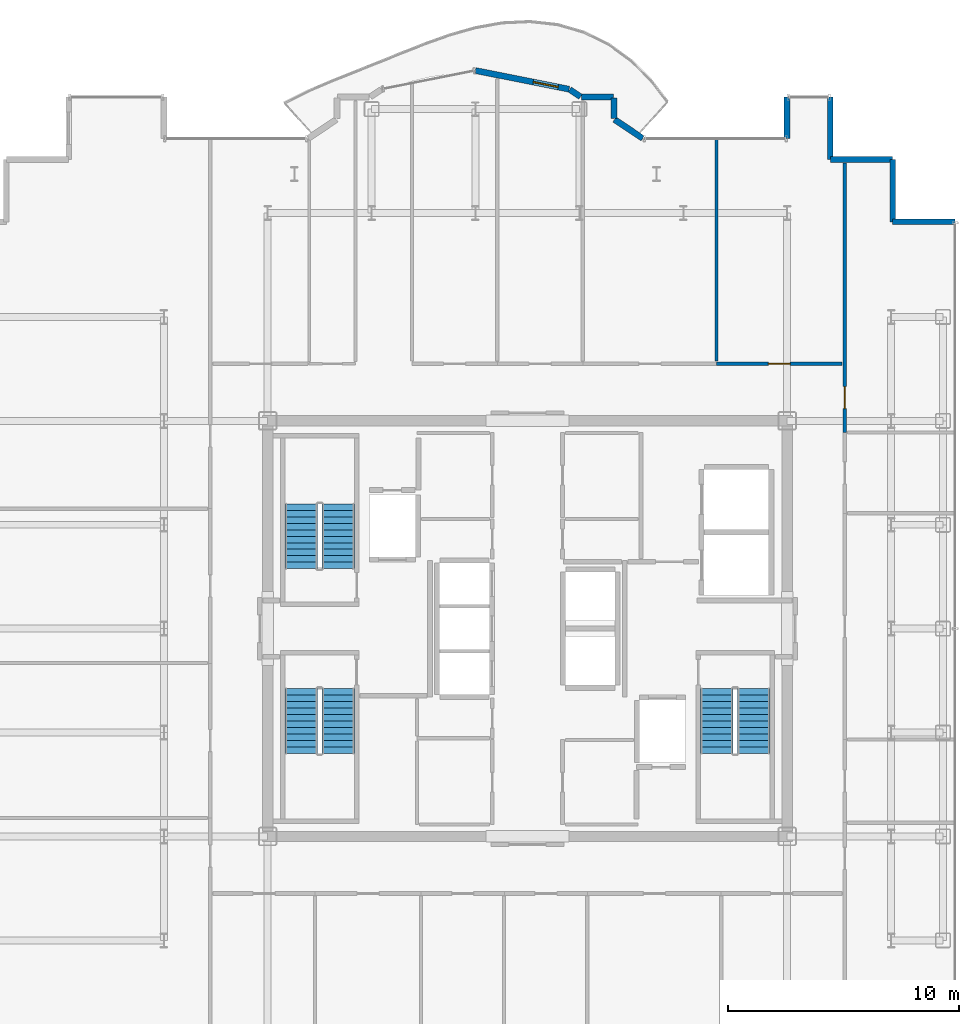
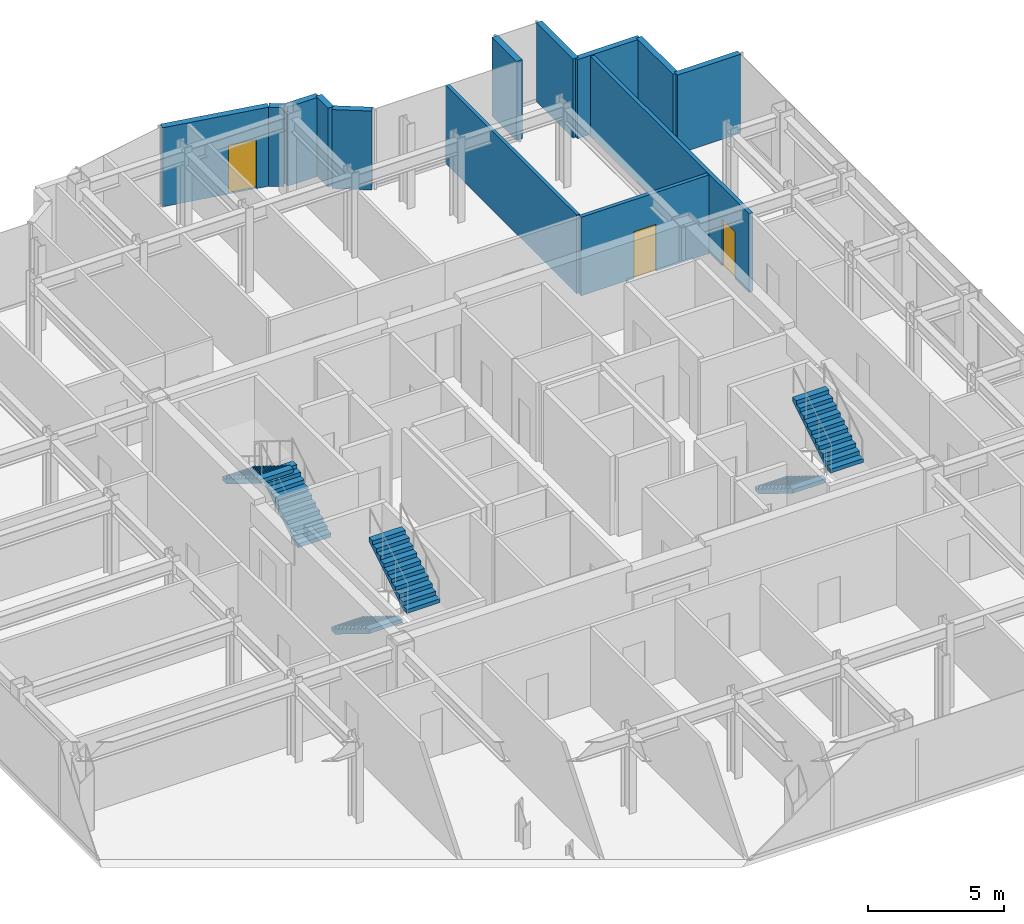
# One storey, part 17 of 18: 13 walls, 6 stair flights, 3 doors, 3 openings, 3 elements without a shape of their own.
"""IFC4 building model written with IfcOpenShell, lengths in metres."""

from ifc_helpers import new_model, si_unit, direction, frame, frame_2d, origin, place, context, subcontext, project, spatial, polyline, rectangle, outline, extrude, source, transform, mapped, material, layer, layer_set, type_object, element, fill, aggregate, save


model = new_model("IFC4")

# Units and contexts
model_context = context("Model", 3, precision=1e-05, world=origin(), true_north=direction((0.0, 1.0)))
body_context = subcontext(model_context, "Body", "Model", "MODEL_VIEW")
ifc_project = project(units=[si_unit("LENGTHUNIT", "METRE"), si_unit("AREAUNIT", "SQUARE_METRE"), si_unit("VOLUMEUNIT", "CUBIC_METRE"), si_unit("PLANEANGLEUNIT", "RADIAN"), si_unit("MASSUNIT", "GRAM", prefix="KILO")], contexts=[model_context])

# Site, building, storey
site_placement = place(None, origin())
site = spatial("IfcSite", under=ifc_project, at=site_placement, CompositionType="ELEMENT")
building_placement = place(site_placement, origin())
building = spatial("IfcBuilding", under=site, at=building_placement, Name="Nefas-Gora Pilgrimage Tower", CompositionType="ELEMENT")
storey_placement = place(building_placement, frame((0.0, 0.0, 268.39990234375)))
storey = spatial("IfcBuildingStorey", under=building, at=storey_placement, Name="L67", CompositionType="ELEMENT", Elevation=268.39990234375)

# Walls
ifc_material_1 = material(Name="Precast concrete C40/50", Category="concrete")
ifc_layer_1 = layer(ifc_material_1, 0.260009765625)
ifc_layer_set_1 = layer_set([ifc_layer_1], Name="Precast concrete C40/50")
wall_type_1 = type_object("IfcWallType", Name="EW-PORTAL-260", PredefinedType="SOLIDWALL", material=ifc_layer_set_1)
shared_shape_1 = source(origin(), body_context, "Body", "SweptSolid", [
    extrude(rectangle(XDim=1.800048828125, YDim=0.260009765625, at=frame_2d((0.89990234375, 0.0))), origin(), (0.0, 0.0, 1.0), 3.550048828125),
])
wall_1_placement = place(storey_placement, frame((11.25, 23.02001953125, 0.0), z_axis=(0.0, 0.0, 1.0), x_axis=(0.0, -1.0, 0.0)))
element("IfcWall", 1, at=wall_1_placement, inside=storey, type_object=wall_type_1, Name="L67 Lobe Shoulder Precast Spandrel Pier 6", PredefinedType="SOLIDWALL", context=body_context, shape_type="MappedRepresentation", body=[
    mapped(shared_shape_1, transform((0.0, 0.0, 0.0), x_axis=(1.0, 0.0, 0.0), y_axis=(0.0, 1.0, 0.0), z_axis=(0.0, 0.0, 1.0), scale=1.0)),
])
ifc_material_2 = material(Name="Precast concrete C45/55", Category="concrete")
ifc_layer_2 = layer(ifc_material_2, 0.239990234375)
ifc_layer_set_2 = layer_set([ifc_layer_2], Name="Precast concrete C45/55")
wall_type_2 = type_object("IfcWallType", Name="EW-SERR-240", PredefinedType="SHEAR", material=ifc_layer_set_2)
shared_shape_2 = source(origin(), body_context, "Body", "SweptSolid", [
    extrude(rectangle(XDim=2.699951171875, YDim=0.239990234375, at=frame_2d((1.35009765625, 0.0))), origin(), (0.0, 0.0, 1.0), 3.550048828125),
])
for number, where, z_axis, x_axis, name in (
    (2, (18.52001953125, 17.6201171875, 0.0), (0.0, 0.0, 1.0), (-1.0, 0.0, 0.0), "L67 Serrated Corner Shear Pier Wall 2"),
    (3, (15.820068359375, 17.6201171875, 0.0), (0.0, 0.0, 1.0), (0.0, 1.0, 0.0), "L67 Serrated Corner Shear Pier Wall 3"),
    (4, (15.820068359375, 20.320068359375, 0.0), (0.0, 0.0, 1.0), (-1.0, 0.0, 0.0), "L67 Serrated Corner Shear Pier Wall 4"),
    (5, (13.1201171875, 20.320068359375, 0.0), (0.0, 0.0, 1.0), (0.0, 1.0, 0.0), "L67 Serrated Corner Shear Pier Wall 5"),
):
    element("IfcWall", number, at=place(storey_placement, frame(where, z_axis=z_axis, x_axis=x_axis)), inside=storey, type_object=wall_type_2, Name=name, PredefinedType="SHEAR", context=body_context, shape_type="MappedRepresentation", body=[
        mapped(shared_shape_2, transform((0.0, 0.0, 0.0), x_axis=(1.0, 0.0, 0.0), y_axis=(0.0, 1.0, 0.0), z_axis=(0.0, 0.0, 1.0), scale=1.0)),
    ])
shared_shape_3 = source(origin(), body_context, "Body", "SweptSolid", [
    extrude(rectangle(XDim=1.468994140625, YDim=0.260009765625, at=frame_2d((0.734375, 0.0))), origin(), (0.0, 0.0, 1.0), 3.550048828125),
])
wall_2_placement = place(storey_placement, frame((4.99462890625, 21.235595703125, 0.0), z_axis=(0.0, 0.0, 1.0), x_axis=(-0.831461760506, 0.555581983884, 0.0)))
element("IfcWall", 6, at=wall_2_placement, inside=storey, type_object=wall_type_1, Name="L67 Lobe Shoulder Precast Spandrel Pier 7", PredefinedType="SOLIDWALL", context=body_context, shape_type="MappedRepresentation", body=[
    mapped(shared_shape_3, transform((0.0, 0.0, 0.0), x_axis=(1.0, 0.0, 0.0), y_axis=(0.0, 1.0, 0.0), z_axis=(0.0, 0.0, 1.0), scale=1.0)),
])
shared_shape_4 = source(origin(), body_context, "Body", "SweptSolid", [
    extrude(rectangle(XDim=0.896728515625, YDim=0.260009765625, at=frame_2d((0.4482421875, 0.0))), origin(), (0.0, 0.0, 1.0), 3.550048828125),
])
wall_3_placement = place(storey_placement, frame((3.75, 22.09521484375, 0.0), z_axis=(0.0, 0.0, 1.0), x_axis=(0.0, 1.0, 0.0)))
element("IfcWall", 7, at=wall_3_placement, inside=storey, type_object=wall_type_1, Name="L67 Lobe Shoulder Precast Spandrel Pier 8", PredefinedType="SOLIDWALL", context=body_context, shape_type="MappedRepresentation", body=[
    mapped(shared_shape_4, transform((0.0, 0.0, 0.0), x_axis=(1.0, 0.0, 0.0), y_axis=(0.0, 1.0, 0.0), z_axis=(0.0, 0.0, 1.0), scale=1.0)),
])
shared_shape_5 = source(origin(), body_context, "Body", "SweptSolid", [
    extrude(rectangle(XDim=1.369873046875, YDim=0.260009765625, at=frame_2d((0.68505859375, 0.0))), origin(), (0.0, 0.0, 1.0), 3.550048828125),
])
wall_4_placement = place(storey_placement, frame((3.721923828125, 23.02001953125, 0.0), z_axis=(0.0, 0.0, 1.0), x_axis=(-1.0, 0.0, 0.0)))
element("IfcWall", 8, at=wall_4_placement, inside=storey, type_object=wall_type_1, Name="L67 Lobe Shoulder Precast Spandrel Pier 9", PredefinedType="SOLIDWALL", context=body_context, shape_type="MappedRepresentation", body=[
    mapped(shared_shape_5, transform((0.0, 0.0, 0.0), x_axis=(1.0, 0.0, 0.0), y_axis=(0.0, 1.0, 0.0), z_axis=(0.0, 0.0, 1.0), scale=1.0)),
])
shared_shape_6 = source(origin(), body_context, "Body", "SweptSolid", [
    extrude(rectangle(XDim=0.5654296875, YDim=0.260009765625, at=frame_2d((0.28271484375, 0.0))), origin(), (0.0, 0.0, 1.0), 3.550048828125),
])
wall_5_placement = place(storey_placement, frame((2.30078125, 23.03564453125, 0.0), z_axis=(0.0, 0.0, 1.0), x_axis=(-0.831651492666, 0.555297933317, 0.0)))
element("IfcWall", 9, at=wall_5_placement, inside=storey, type_object=wall_type_1, Name="L67 Lobe Shoulder Precast Spandrel Pier 10", PredefinedType="SOLIDWALL", context=body_context, shape_type="MappedRepresentation", body=[
    mapped(shared_shape_6, transform((0.0, 0.0, 0.0), x_axis=(1.0, 0.0, 0.0), y_axis=(0.0, 1.0, 0.0), z_axis=(0.0, 0.0, 1.0), scale=1.0)),
])

# Wall, opening, door
shared_shape_7 = source(origin(), body_context, "Body", "SweptSolid", [
    extrude(rectangle(XDim=4.136962890625, YDim=0.260009765625, at=frame_2d((2.068359375, 0.0))), origin(), (0.0, 0.0, 1.0), 3.550048828125),
])
wall_6_placement = place(storey_placement, frame((1.807373046875, 23.365234375, 0.0), z_axis=(0.0, 0.0, 1.0), x_axis=(-0.980782170794, 0.195105954428, 0.0)))
wall_6 = element("IfcWall", 10, at=wall_6_placement, inside=storey, type_object=wall_type_1, Name="L67 Insulated Terrace Portal Wall 11", PredefinedType="SOLIDWALL", context=body_context, shape_type="MappedRepresentation", body=[
    mapped(shared_shape_7, transform((0.0, 0.0, 0.0), x_axis=(1.0, 0.0, 0.0), y_axis=(0.0, 1.0, 0.0), z_axis=(0.0, 0.0, 1.0), scale=1.0)),
])
opening_1_placement = place(wall_6_placement, frame((0.48779296875, 0.0, 0.0)))
opening_1 = element("IfcOpeningElement", 11, at=opening_1_placement, cuts=wall_6, Name="Opening ED-B1", PredefinedType="OPENING", context=body_context, shape_type="SweptSolid", body=[
    extrude(rectangle(XDim=1.10009765625, YDim=2.199951171875, at=frame_2d((0.550048828125, 1.10009765625))), frame((0.0, 0.139892578125, 0.0), z_axis=(0.0, -1.0, 0.0), x_axis=(1.0, 0.0, 0.0)), (0.0, 0.0, 1.0), 0.280029296875),
])
ifc_material_3 = material(Name="Thermally broken glazed aluminium balcony door", Category="aluminium")
door_type_1 = type_object("IfcDoorType", Name="DR-EXT-BAL-1100", OperationType="NOTDEFINED", PredefinedType="DOOR", material=ifc_material_3)
shared_shape_8 = source(origin(), body_context, "Body", "SweptSolid", [
    extrude(rectangle(XDim=1.10009765625, YDim=2.199951171875, at=frame_2d((0.550048828125, 1.10009765625))), frame((0.0, 0.02490234375, 0.0), z_axis=(0.0, -1.0, 0.0), x_axis=(1.0, 0.0, 0.0)), (0.0, 0.0, 1.0), 0.050048828125),
])
door_1_placement = place(opening_1_placement, origin())
door_1 = element("IfcDoor", 12, at=door_1_placement, inside=storey, type_object=door_type_1, Name="L67 Exterior Door (L67 N Lobe Wave Balcony)", OperationType="SINGLE_SWING_LEFT", OverallHeight=2.199951171875, OverallWidth=1.10009765625, PredefinedType="DOOR", context=body_context, shape_type="MappedRepresentation", body=[
    mapped(shared_shape_8, transform((0.0, 0.0, 0.0), x_axis=(1.0, 0.0, 0.0), y_axis=(0.0, 1.0, 0.0), z_axis=(0.0, 0.0, 1.0), scale=1.0)),
])
fill(opening_1, door_1)

# Wall
ifc_material_4 = material(Name="Gypsum twin-stud partition")
ifc_layer_3 = layer(ifc_material_4, 0.139892578125)
ifc_layer_set_3 = layer_set([ifc_layer_3], Name="Gypsum twin-stud partition")
wall_type_3 = type_object("IfcWallType", Name="IW-UNIT-140", PredefinedType="PARTITIONING", material=ifc_layer_set_3)
shared_shape_9 = source(origin(), body_context, "Body", "SweptSolid", [
    extrude(rectangle(XDim=9.64990234375, YDim=0.139892578125, at=frame_2d((4.824951171875, 0.0))), origin(), (0.0, 0.0, 1.0), 3.53515625),
])
wall_7_placement = place(storey_placement, frame((8.195068359375, 11.590087890625, 0.0), z_axis=(0.0, 0.0, 1.0), x_axis=(0.0, 1.0, 0.0)))
element("IfcWall", 13, at=wall_7_placement, inside=storey, type_object=wall_type_3, Name="L67 Pilgrim Contemplative Lounge Partition Wall 62", PredefinedType="PARTITIONING", context=body_context, shape_type="MappedRepresentation", body=[
    mapped(shared_shape_9, transform((0.0, 0.0, 0.0), x_axis=(1.0, 0.0, 0.0), y_axis=(0.0, 1.0, 0.0), z_axis=(0.0, 0.0, 1.0), scale=1.0)),
])

# Wall, opening, door
ifc_material_5 = material(Name="Gypsum acoustic stud partition")
ifc_layer_4 = layer(ifc_material_5, 0.159912109375)
ifc_layer_set_4 = layer_set([ifc_layer_4], Name="Gypsum acoustic stud partition")
wall_type_4 = type_object("IfcWallType", Name="IW-CORR-160", PredefinedType="PARTITIONING", material=ifc_layer_set_4)
shared_shape_10 = source(origin(), body_context, "Body", "SweptSolid", [
    extrude(rectangle(XDim=5.425048828125, YDim=0.159912109375, at=frame_2d((2.71240234375, 0.0))), origin(), (0.0, 0.0, 1.0), 3.53515625),
])
wall_8_placement = place(storey_placement, frame((8.195068359375, 11.469970703125, 0.0), z_axis=(0.0, 0.0, 1.0), x_axis=(1.0, 0.0, 0.0)))
wall_8 = element("IfcWall", 14, at=wall_8_placement, inside=storey, type_object=wall_type_4, Name="L67 Pilgrim Contemplative Lounge Partition Wall 63", PredefinedType="PARTITIONING", context=body_context, shape_type="MappedRepresentation", body=[
    mapped(shared_shape_10, transform((0.0, 0.0, 0.0), x_axis=(1.0, 0.0, 0.0), y_axis=(0.0, 1.0, 0.0), z_axis=(0.0, 0.0, 1.0), scale=1.0)),
])
opening_2_placement = place(wall_8_placement, frame((2.237548828125, 0.0, 0.0)))
opening_2 = element("IfcOpeningElement", 15, at=opening_2_placement, cuts=wall_8, Name="Opening ID-GR1", PredefinedType="OPENING", context=body_context, shape_type="SweptSolid", body=[
    extrude(rectangle(XDim=0.949951171875, YDim=2.10009765625, at=frame_2d((0.47509765625, 1.050048828125))), frame((0.0, 0.08984375, 0.0), z_axis=(0.0, -1.0, 0.0), x_axis=(1.0, 0.0, 0.0)), (0.0, 0.0, 1.0), 0.179931640625),
])
ifc_material_6 = material(Name="Solid core oak fire-rated guest entrance door")
door_type_2 = type_object("IfcDoorType", Name="DR-INT-GUEST-950", OperationType="NOTDEFINED", PredefinedType="DOOR", material=ifc_material_6)
shared_shape_11 = source(origin(), body_context, "Body", "SweptSolid", [
    extrude(rectangle(XDim=0.949951171875, YDim=2.10009765625, at=frame_2d((0.47509765625, 1.050048828125))), frame((0.0, 0.02490234375, 0.0), z_axis=(0.0, -1.0, 0.0), x_axis=(1.0, 0.0, 0.0)), (0.0, 0.0, 1.0), 0.050048828125),
])
door_2_placement = place(opening_2_placement, origin())
door_2 = element("IfcDoor", 16, at=door_2_placement, inside=storey, type_object=door_type_2, Name="L67 Pilgrim Contemplative Lounge Door 29", OperationType="SINGLE_SWING_LEFT", OverallHeight=2.10009765625, OverallWidth=0.949951171875, PredefinedType="DOOR", context=body_context, shape_type="MappedRepresentation", body=[
    mapped(shared_shape_11, transform((0.0, 0.0, 0.0), x_axis=(1.0, 0.0, 0.0), y_axis=(0.0, 1.0, 0.0), z_axis=(0.0, 0.0, 1.0), scale=1.0)),
])
fill(opening_2, door_2)

shared_shape_12 = source(origin(), body_context, "Body", "SweptSolid", [
    extrude(rectangle(XDim=11.664794921875, YDim=0.159912109375, at=frame_2d((5.83251953125, 0.0))), origin(), (0.0, 0.0, 1.0), 3.53515625),
])
wall_9_placement = place(storey_placement, frame((13.739990234375, 8.4951171875, 0.0), z_axis=(0.0, 0.0, 1.0), x_axis=(0.0, 1.0, 0.0)))
wall_9 = element("IfcWall", 17, at=wall_9_placement, inside=storey, type_object=wall_type_4, Name="L67 Pilgrim Contemplative Lounge Partition Wall 54", PredefinedType="PARTITIONING", context=body_context, shape_type="MappedRepresentation", body=[
    mapped(shared_shape_12, transform((0.0, 0.0, 0.0), x_axis=(1.0, 0.0, 0.0), y_axis=(0.0, 1.0, 0.0), z_axis=(0.0, 0.0, 1.0), scale=1.0)),
])
opening_3_placement = place(wall_9_placement, frame((1.032470703125, 0.0, 0.0)))
opening_3 = element("IfcOpeningElement", 18, at=opening_3_placement, cuts=wall_9, Name="Opening ID-GR1", PredefinedType="OPENING", context=body_context, shape_type="SweptSolid", body=[
    extrude(rectangle(XDim=0.949951171875, YDim=2.10009765625, at=frame_2d((0.47509765625, 1.050048828125))), frame((0.0, 0.08984375, 0.0), z_axis=(0.0, -1.0, 0.0), x_axis=(1.0, 0.0, 0.0)), (0.0, 0.0, 1.0), 0.179931640625),
])
door_3_placement = place(opening_3_placement, origin())
door_3 = element("IfcDoor", 19, at=door_3_placement, inside=storey, type_object=door_type_2, Name="L67 Pilgrim Contemplative Lounge Door 24", OperationType="SINGLE_SWING_RIGHT", OverallHeight=2.10009765625, OverallWidth=0.949951171875, PredefinedType="DOOR", context=body_context, shape_type="MappedRepresentation", body=[
    mapped(shared_shape_11, transform((0.0, 0.0, 0.0), x_axis=(1.0, 0.0, 0.0), y_axis=(0.0, 1.0, 0.0), z_axis=(0.0, 0.0, 1.0), scale=1.0)),
])
fill(opening_3, door_3)

# Stair, stair flights
ifc_material_7 = material(Name="Concrete C45/55", Category="concrete")
stair_type = type_object("IfcStairType", Name="STR-1400-R1727", PredefinedType="HALF_TURN_STAIR", material=ifc_material_7)
stair_1_placement = place(storey_placement, origin())
stair_1 = element("IfcStair", 20, at=stair_1_placement, inside=storey, type_object=stair_type, Name="L67 Pressurised Tower Exit Stair ST-01", PredefinedType="HALF_TURN_STAIR")
stair_flight_type = type_object("IfcStairFlightType", Name="STF-1400-R1727", PredefinedType="STRAIGHT", material=ifc_material_7)
shared_shape_13 = source(origin(), body_context, "Body", "SweptSolid", [
    extrude(outline(polyline([(0.0, 0.0), (0.0, 0.172607421875), (0.280029296875, 0.172607421875), (0.280029296875, 0.345458984375), (0.56005859375, 0.345458984375), (0.56005859375, 0.51806640625), (0.840087890625, 0.51806640625), (0.840087890625, 0.69091796875), (1.1201171875, 0.69091796875), (1.1201171875, 0.863525390625), (1.39990234375, 0.863525390625), (1.39990234375, 1.036376953125), (1.679931640625, 1.036376953125), (1.679931640625, 1.208984375), (1.9599609375, 1.208984375), (1.9599609375, 1.3818359375), (2.239990234375, 1.3818359375), (2.239990234375, 1.554443359375), (2.52001953125, 1.554443359375), (2.52001953125, 1.727294921875), (2.800048828125, 1.727294921875), (2.800048828125, 1.89990234375), (2.800048828125, 1.551025390625), (0.285400390625, 0.0), (0.0, 0.0)])), frame((0.0, 0.699951171875, 0.0), z_axis=(0.0, -1.0, 0.0), x_axis=(1.0, 0.0, 0.0)), (0.0, 0.0, 1.0), 1.39990234375),
])
stair_flight_1_placement = place(storey_placement, frame((-8.199951171875, 2.60009765625, 0.0), z_axis=(0.0, 0.0, 1.0), x_axis=(0.0, 1.0, 0.0)))
stair_flight_1 = element("IfcStairFlight", 21, at=stair_flight_1_placement, type_object=stair_flight_type, Name="ST-01 flight 1", NumberOfRisers=11, NumberOfTreads=10, PredefinedType="STRAIGHT", RiserHeight=0.172727273, TreadLength=0.28, context=body_context, shape_type="MappedRepresentation", body=[
    mapped(shared_shape_13, transform((0.0, 0.0, 0.0), x_axis=(1.0, 0.0, 0.0), y_axis=(0.0, 1.0, 0.0), z_axis=(0.0, 0.0, 1.0), scale=1.0)),
])
stair_flight_2_placement = place(storey_placement, frame((-9.800048828125, 5.39990234375, 1.900146484375), z_axis=(0.0, 0.0, 1.0), x_axis=(0.0, -1.0, 0.0)))
stair_flight_2 = element("IfcStairFlight", 22, at=stair_flight_2_placement, type_object=stair_flight_type, Name="ST-01 flight 2", NumberOfRisers=11, NumberOfTreads=10, PredefinedType="STRAIGHT", RiserHeight=0.172727273, TreadLength=0.28, context=body_context, shape_type="MappedRepresentation", body=[
    mapped(shared_shape_13, transform((0.0, 0.0, 0.0), x_axis=(1.0, 0.0, 0.0), y_axis=(0.0, 1.0, 0.0), z_axis=(0.0, 0.0, 1.0), scale=1.0)),
])
aggregate(stair_1, [stair_flight_1, stair_flight_2])

stair_2_placement = place(storey_placement, origin())
stair_2 = element("IfcStair", 23, at=stair_2_placement, inside=storey, type_object=stair_type, Name="L67 Pressurised Tower Exit Stair ST-02", PredefinedType="HALF_TURN_STAIR")
stair_flight_3_placement = place(storey_placement, frame((8.199951171875, -2.60009765625, 0.0), z_axis=(0.0, 0.0, 1.0), x_axis=(0.0, -1.0, 0.0)))
stair_flight_3 = element("IfcStairFlight", 24, at=stair_flight_3_placement, type_object=stair_flight_type, Name="ST-02 flight 1", NumberOfRisers=11, NumberOfTreads=10, PredefinedType="STRAIGHT", RiserHeight=0.172727273, TreadLength=0.28, context=body_context, shape_type="MappedRepresentation", body=[
    mapped(shared_shape_13, transform((0.0, 0.0, 0.0), x_axis=(1.0, 0.0, 0.0), y_axis=(0.0, 1.0, 0.0), z_axis=(0.0, 0.0, 1.0), scale=1.0)),
])
stair_flight_4_placement = place(storey_placement, frame((9.800048828125, -5.39990234375, 1.900146484375), z_axis=(0.0, 0.0, 1.0), x_axis=(0.0, 1.0, 0.0)))
stair_flight_4 = element("IfcStairFlight", 25, at=stair_flight_4_placement, type_object=stair_flight_type, Name="ST-02 flight 2", NumberOfRisers=11, NumberOfTreads=10, PredefinedType="STRAIGHT", RiserHeight=0.172727273, TreadLength=0.28, context=body_context, shape_type="MappedRepresentation", body=[
    mapped(shared_shape_13, transform((0.0, 0.0, 0.0), x_axis=(1.0, 0.0, 0.0), y_axis=(0.0, 1.0, 0.0), z_axis=(0.0, 0.0, 1.0), scale=1.0)),
])
aggregate(stair_2, [stair_flight_3, stair_flight_4])

stair_3_placement = place(storey_placement, origin())
stair_3 = element("IfcStair", 26, at=stair_3_placement, inside=storey, type_object=stair_type, Name="L67 Pressurised Tower Exit Stair ST-03", PredefinedType="HALF_TURN_STAIR")
stair_flight_5_placement = place(storey_placement, frame((-9.800048828125, -2.60009765625, 0.0), z_axis=(0.0, 0.0, 1.0), x_axis=(0.0, -1.0, 0.0)))
stair_flight_5 = element("IfcStairFlight", 27, at=stair_flight_5_placement, type_object=stair_flight_type, Name="ST-03 flight 1", NumberOfRisers=11, NumberOfTreads=10, PredefinedType="STRAIGHT", RiserHeight=0.172727273, TreadLength=0.28, context=body_context, shape_type="MappedRepresentation", body=[
    mapped(shared_shape_13, transform((0.0, 0.0, 0.0), x_axis=(1.0, 0.0, 0.0), y_axis=(0.0, 1.0, 0.0), z_axis=(0.0, 0.0, 1.0), scale=1.0)),
])
stair_flight_6_placement = place(storey_placement, frame((-8.199951171875, -5.39990234375, 1.900146484375), z_axis=(0.0, 0.0, 1.0), x_axis=(0.0, 1.0, 0.0)))
stair_flight_6 = element("IfcStairFlight", 28, at=stair_flight_6_placement, type_object=stair_flight_type, Name="ST-03 flight 2", NumberOfRisers=11, NumberOfTreads=10, PredefinedType="STRAIGHT", RiserHeight=0.172727273, TreadLength=0.28, context=body_context, shape_type="MappedRepresentation", body=[
    mapped(shared_shape_13, transform((0.0, 0.0, 0.0), x_axis=(1.0, 0.0, 0.0), y_axis=(0.0, 1.0, 0.0), z_axis=(0.0, 0.0, 1.0), scale=1.0)),
])
aggregate(stair_3, [stair_flight_5, stair_flight_6])

save(model, "model.ifc")
